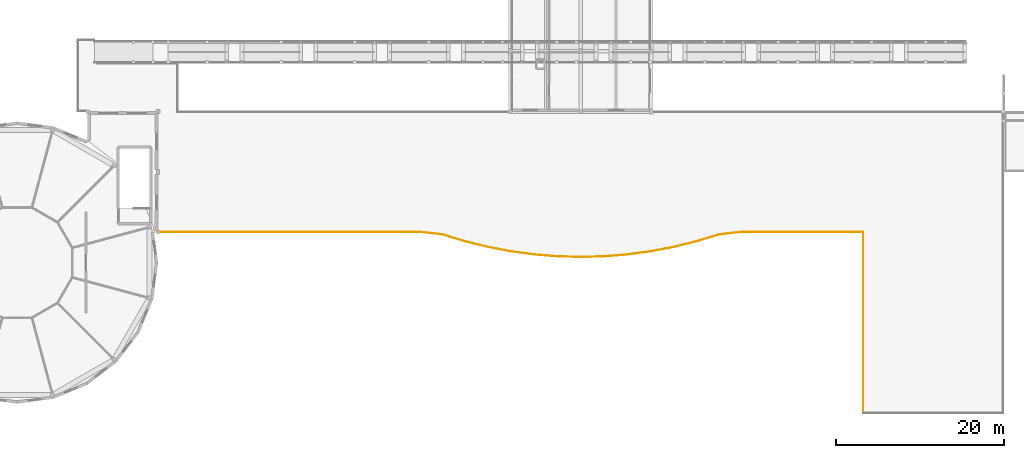
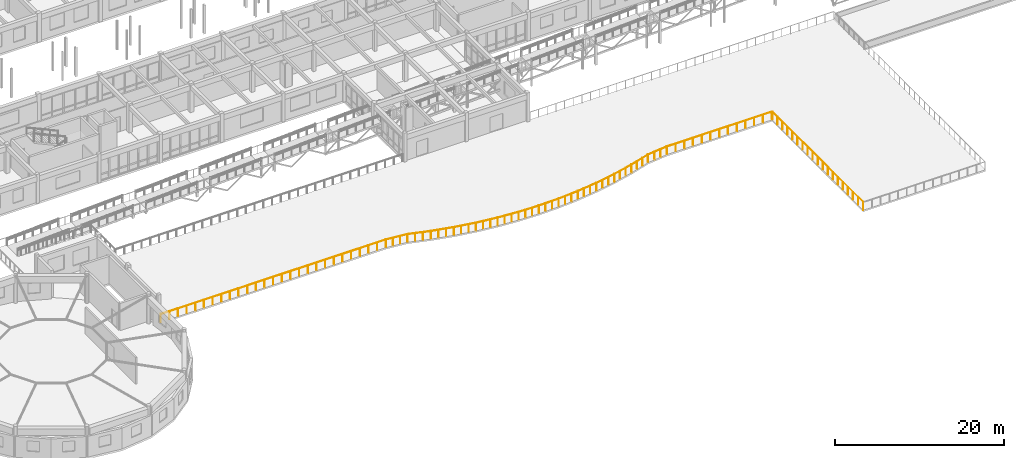
# One storey, part 83 of 90: 1 railing.
"""IFC4 building model written with IfcOpenShell, lengths in metres."""

from ifc_helpers import new_model, si_unit, direction, frame, origin, origin_2d, place, context, subcontext, project, spatial, circle, extrude, material, layer, layer_set, type_object, element, save


model = new_model("IFC4")

# Units and contexts
model_context = context("Model", 3, precision=1e-05, world=origin(), true_north=direction((0.0, 1.0)))
body_context = subcontext(model_context, "Body", "Model", "MODEL_VIEW")
ifc_project = project(units=[si_unit("LENGTHUNIT", "METRE"), si_unit("AREAUNIT", "SQUARE_METRE"), si_unit("VOLUMEUNIT", "CUBIC_METRE"), si_unit("PLANEANGLEUNIT", "RADIAN"), si_unit("MASSUNIT", "GRAM", prefix="KILO")], contexts=[model_context])

# Site, building, storey
site_placement = place(None, origin())
site = spatial("IfcSite", under=ifc_project, at=site_placement, CompositionType="ELEMENT")
building_placement = place(site_placement, origin())
building = spatial("IfcBuilding", under=site, at=building_placement, Name="Malvenik Polytechnic", CompositionType="ELEMENT")
storey_placement = place(building_placement, frame((0.0, 0.0, 9.300048828125)))
storey = spatial("IfcBuildingStorey", under=building, at=storey_placement, Name="L02", CompositionType="ELEMENT", Elevation=9.300048828125)

# Railing
ifc_material = material(Name="Galvanised powder-coated steel and laminated glass guard 1150mm", Category="steel")
ifc_layer = layer(ifc_material, 0.070068359375)
ifc_layer_set = layer_set([ifc_layer], Name="Galvanised powder-coated steel and laminated glass guard 1150mm")
railing_type = type_object("IfcRailingType", Name="ARC-RL-BAL-1150", PredefinedType="BALUSTRADE", material=ifc_layer_set)
railing_placement = place(storey_placement, frame((117.659912109375, 0.06005859375, 0.0)))
element("IfcRailing", 1, at=railing_placement, inside=storey, type_object=railing_type, Name="Terrace Perimeter Balustrade L02 #10", PredefinedType="BALUSTRADE", context=body_context, shape_type="SweptSolid", body=[
    extrude(circle(Radius=0.02392578125, at=origin_2d()), frame((0.0, 0.0, 1.1259765625), z_axis=(0.0, 1.0, 0.0), x_axis=(-1.0, 0.0, 0.0)), (0.0, 0.0, 1.0), 21.5400390625),
    extrude(circle(Radius=0.02392578125, at=origin_2d()), frame((0.0, 21.5400390625, 1.1259765625), z_axis=(-0.041630544712, 0.999133073092, 0.0), x_axis=(-0.999133073092, -0.041630544712, 0.0)), (0.0, 0.0, 1.0), 0.005859375),
    extrude(circle(Radius=0.02392578125, at=origin_2d()), frame((-0.000244140625, 21.5458984375, 1.1259765625), z_axis=(-0.164398987305, 0.986393923832, 0.0), x_axis=(-0.986393923832, -0.164398987305, 0.0)), (0.0, 0.0, 1.0), 0.005859375),
    extrude(circle(Radius=0.02392578125, at=origin_2d()), frame((-0.001220703125, 21.5517578125, 1.1259765625), z_axis=(-0.212429644331, 0.977176363923, 0.0), x_axis=(-0.977176363923, -0.212429644331, 0.0)), (0.0, 0.0, 1.0), 0.005859375),
    extrude(circle(Radius=0.02392578125, at=origin_2d()), frame((-0.00244140625, 21.557373046875, 1.1259765625), z_axis=(-0.328520624941, 0.944496796706, 0.0), x_axis=(-0.944496796706, -0.328520624941, 0.0)), (0.0, 0.0, 1.0), 0.005859375),
    extrude(circle(Radius=0.02392578125, at=origin_2d()), frame((-0.00439453125, 21.56298828125, 1.1259765625), z_axis=(-0.4472135955, 0.894427191, 0.0), x_axis=(-0.894427191, -0.4472135955, 0.0)), (0.0, 0.0, 1.0), 0.006103515625),
    extrude(circle(Radius=0.02392578125, at=origin_2d()), frame((-0.007080078125, 21.568359375, 1.1259765625), z_axis=(-0.514495755428, 0.857492925713, 0.0), x_axis=(-0.857492925713, -0.514495755428, 0.0)), (0.0, 0.0, 1.0), 0.005615234375),
    extrude(circle(Radius=0.02392578125, at=origin_2d()), frame((-0.010009765625, 21.5732421875, 1.1259765625), z_axis=(-0.573462344363, 0.819231920519, 0.0), x_axis=(-0.819231920519, -0.573462344363, 0.0)), (0.0, 0.0, 1.0), 0.005859375),
    extrude(circle(Radius=0.02392578125, at=origin_2d()), frame((-0.013427734375, 21.578125, 1.1259765625), z_axis=(-0.707106781187, 0.707106781187, 0.0), x_axis=(-0.707106781187, -0.707106781187, 0.0)), (0.0, 0.0, 1.0), 0.005859375),
    extrude(circle(Radius=0.02392578125, at=origin_2d()), frame((-0.017578125, 21.582275390625, 1.1259765625), z_axis=(-0.707106781187, 0.707106781187, 0.0), x_axis=(-0.707106781187, -0.707106781187, 0.0)), (0.0, 0.0, 1.0), 0.005859375),
    extrude(circle(Radius=0.02392578125, at=origin_2d()), frame((-0.021728515625, 21.58642578125, 1.1259765625), z_axis=(-0.819231920519, 0.573462344363, 0.0), x_axis=(-0.573462344363, -0.819231920519, 0.0)), (0.0, 0.0, 1.0), 0.005859375),
    extrude(circle(Radius=0.02392578125, at=origin_2d()), frame((-0.026611328125, 21.58984375, 1.1259765625), z_axis=(-0.857492925713, 0.514495755428, 0.0), x_axis=(-0.514495755428, -0.857492925713, 0.0)), (0.0, 0.0, 1.0), 0.005615234375),
    extrude(circle(Radius=0.02392578125, at=origin_2d()), frame((-0.031494140625, 21.5927734375, 1.1259765625), z_axis=(-0.894427191, 0.4472135955, 0.0), x_axis=(-0.4472135955, -0.894427191, 0.0)), (0.0, 0.0, 1.0), 0.006103515625),
    extrude(circle(Radius=0.02392578125, at=origin_2d()), frame((-0.036865234375, 21.595458984375, 1.1259765625), z_axis=(-0.944496796706, 0.328520624941, 0.0), x_axis=(-0.328520624941, -0.944496796706, 0.0)), (0.0, 0.0, 1.0), 0.005859375),
    extrude(circle(Radius=0.02392578125, at=origin_2d()), frame((-0.04248046875, 21.597412109375, 1.1259765625), z_axis=(-0.977176363923, 0.212429644331, 0.0), x_axis=(-0.212429644331, -0.977176363923, 0.0)), (0.0, 0.0, 1.0), 0.005859375),
    extrude(circle(Radius=0.02392578125, at=origin_2d()), frame((-0.048095703125, 21.5986328125, 1.1259765625), z_axis=(-0.986393923832, 0.164398987305, 0.0), x_axis=(-0.164398987305, -0.986393923832, 0.0)), (0.0, 0.0, 1.0), 0.005859375),
    extrude(circle(Radius=0.02392578125, at=origin_2d()), frame((-0.053955078125, 21.599609375, 1.1259765625), z_axis=(-0.999133073092, 0.041630544712, 0.0), x_axis=(-0.041630544712, -0.999133073092, 0.0)), (0.0, 0.0, 1.0), 0.005859375),
    extrude(circle(Radius=0.02392578125, at=origin_2d()), frame((-0.059814453125, 21.599853515625, 1.1259765625), z_axis=(-1.0, 0.0, 0.0), x_axis=(0.0, -1.0, 0.0)), (0.0, 0.0, 1.0), 14.35009765625),
    extrude(circle(Radius=0.02392578125, at=origin_2d()), frame((-14.409912109375, 21.599853515625, 1.1259765625), z_axis=(-0.999362854348, -0.035691530512, 0.0), x_axis=(0.035691530512, -0.999362854348, 0.0)), (0.0, 0.0, 1.0), 0.0068359375),
    extrude(circle(Radius=0.02392578125, at=origin_2d()), frame((-14.416748046875, 21.599609375, 1.1259765625), z_axis=(-0.993585447617, -0.1130838551, 0.0), x_axis=(0.1130838551, -0.993585447617, 0.0)), (0.0, 0.0, 1.0), 2.767822265625),
    extrude(circle(Radius=0.02392578125, at=origin_2d()), frame((-17.166748046875, 21.28662109375, 1.1259765625), z_axis=(-0.990830168044, -0.135113204733, 0.0), x_axis=(0.135113204733, -0.990830168044, 0.0)), (0.0, 0.0, 1.0), 0.00537109375),
    extrude(circle(Radius=0.02392578125, at=origin_2d()), frame((-17.172119140625, 21.285888671875, 1.1259765625), z_axis=(-0.964763821238, -0.263117405792, 0.0), x_axis=(0.263117405792, -0.964763821238, 0.0)), (0.0, 0.0, 1.0), 0.005615234375),
    extrude(circle(Radius=0.02392578125, at=origin_2d()), frame((-17.177490234375, 21.284423828125, 1.1259765625), z_axis=(-0.956745902497, -0.290924866683, 0.0), x_axis=(0.290924866683, -0.956745902497, 0.0)), (0.0, 0.0, 1.0), 2.87255859375),
    extrude(circle(Radius=0.02392578125, at=origin_2d()), frame((-19.92578125, 20.44873046875, 1.1259765625), z_axis=(-0.97124437316, -0.23808479079, 0.0), x_axis=(0.23808479079, -0.97124437316, 0.0)), (0.0, 0.0, 1.0), 2.828125),
    extrude(circle(Radius=0.02392578125, at=origin_2d()), frame((-22.672607421875, 19.775390625, 1.1259765625), z_axis=(-0.982706662883, -0.185169151659, 0.0), x_axis=(0.185169151659, -0.982706662883, 0.0)), (0.0, 0.0, 1.0), 2.795166015625),
    extrude(circle(Radius=0.02392578125, at=origin_2d()), frame((-25.41943359375, 19.2578125, 1.1259765625), z_axis=(-0.991217895175, -0.132238739726, 0.0), x_axis=(0.132238739726, -0.991217895175, 0.0)), (0.0, 0.0, 1.0), 2.771240234375),
    extrude(circle(Radius=0.02392578125, at=origin_2d()), frame((-28.166259765625, 18.891357421875, 1.1259765625), z_axis=(-0.99684394911, -0.079386025989, 0.0), x_axis=(0.079386025989, -0.99684394911, 0.0)), (0.0, 0.0, 1.0), 2.755615234375),
    extrude(circle(Radius=0.02392578125, at=origin_2d()), frame((-30.9130859375, 18.672607421875, 1.1259765625), z_axis=(-0.999649416194, -0.02647724878, 0.0), x_axis=(0.02647724878, -0.999649416194, 0.0)), (0.0, 0.0, 1.0), 2.747802734375),
    extrude(circle(Radius=0.02392578125, at=origin_2d()), frame((-33.659912109375, 18.599853515625, 1.1259765625), z_axis=(-0.999649416194, 0.02647724878, 0.0), x_axis=(-0.02647724878, -0.999649416194, 0.0)), (0.0, 0.0, 1.0), 2.747802734375),
    extrude(circle(Radius=0.02392578125, at=origin_2d()), frame((-36.40673828125, 18.672607421875, 1.1259765625), z_axis=(-0.99684394911, 0.079386025989, 0.0), x_axis=(-0.079386025989, -0.99684394911, 0.0)), (0.0, 0.0, 1.0), 2.755615234375),
    extrude(circle(Radius=0.02392578125, at=origin_2d()), frame((-39.153564453125, 18.891357421875, 1.1259765625), z_axis=(-0.991217895175, 0.132238739726, 0.0), x_axis=(-0.132238739726, -0.991217895175, 0.0)), (0.0, 0.0, 1.0), 2.771240234375),
    extrude(circle(Radius=0.02392578125, at=origin_2d()), frame((-41.900390625, 19.2578125, 1.1259765625), z_axis=(-0.982706662883, 0.185169151659, 0.0), x_axis=(-0.185169151659, -0.982706662883, 0.0)), (0.0, 0.0, 1.0), 2.795166015625),
    extrude(circle(Radius=0.02392578125, at=origin_2d()), frame((-44.647216796875, 19.775390625, 1.1259765625), z_axis=(-0.97124437316, 0.23808479079, 0.0), x_axis=(-0.23808479079, -0.97124437316, 0.0)), (0.0, 0.0, 1.0), 2.828125),
    extrude(circle(Radius=0.02392578125, at=origin_2d()), frame((-47.39404296875, 20.44873046875, 1.1259765625), z_axis=(-0.956745902497, 0.290924866683, 0.0), x_axis=(-0.290924866683, -0.956745902497, 0.0)), (0.0, 0.0, 1.0), 2.87255859375),
    extrude(circle(Radius=0.02392578125, at=origin_2d()), frame((-50.142333984375, 21.284423828125, 1.1259765625), z_axis=(-0.964763821238, 0.263117405792, 0.0), x_axis=(-0.263117405792, -0.964763821238, 0.0)), (0.0, 0.0, 1.0), 0.005615234375),
    extrude(circle(Radius=0.02392578125, at=origin_2d()), frame((-50.147705078125, 21.285888671875, 1.1259765625), z_axis=(-0.990830168044, 0.135113204733, 0.0), x_axis=(-0.135113204733, -0.990830168044, 0.0)), (0.0, 0.0, 1.0), 0.00537109375),
    extrude(circle(Radius=0.02392578125, at=origin_2d()), frame((-50.153076171875, 21.28662109375, 1.1259765625), z_axis=(-0.993585447617, 0.1130838551, 0.0), x_axis=(-0.1130838551, -0.993585447617, 0.0)), (0.0, 0.0, 1.0), 2.767822265625),
    extrude(circle(Radius=0.02392578125, at=origin_2d()), frame((-52.903076171875, 21.599609375, 1.1259765625), z_axis=(-0.999362854348, 0.035691530512, 0.0), x_axis=(-0.035691530512, -0.999362854348, 0.0)), (0.0, 0.0, 1.0), 0.0068359375),
    extrude(circle(Radius=0.02392578125, at=origin_2d()), frame((-52.909912109375, 21.599853515625, 1.1259765625), z_axis=(-1.0, 0.0, 0.0), x_axis=(0.0, -1.0, 0.0)), (0.0, 0.0, 1.0), 30.830078125),
    extrude(circle(Radius=0.02099609375, at=origin_2d()), origin(), (0.0, 0.0, 1.0), 1.101806640625),
    extrude(circle(Radius=0.02099609375, at=origin_2d()), frame((0.0, 1.19677734375, 0.0)), (0.0, 0.0, 1.0), 1.101806640625),
    extrude(circle(Radius=0.02099609375, at=origin_2d()), frame((0.0, 2.393310546875, 0.0)), (0.0, 0.0, 1.0), 1.101806640625),
    extrude(circle(Radius=0.02099609375, at=origin_2d()), frame((0.0, 3.590087890625, 0.0)), (0.0, 0.0, 1.0), 1.101806640625),
    extrude(circle(Radius=0.02099609375, at=origin_2d()), frame((0.0, 4.78662109375, 0.0)), (0.0, 0.0, 1.0), 1.101806640625),
    extrude(circle(Radius=0.02099609375, at=origin_2d()), frame((0.0, 5.9833984375, 0.0)), (0.0, 0.0, 1.0), 1.101806640625),
    extrude(circle(Radius=0.02099609375, at=origin_2d()), frame((0.0, 7.179931640625, 0.0)), (0.0, 0.0, 1.0), 1.101806640625),
    extrude(circle(Radius=0.02099609375, at=origin_2d()), frame((0.0, 8.376708984375, 0.0)), (0.0, 0.0, 1.0), 1.101806640625),
    extrude(circle(Radius=0.02099609375, at=origin_2d()), frame((0.0, 9.5732421875, 0.0)), (0.0, 0.0, 1.0), 1.101806640625),
    extrude(circle(Radius=0.02099609375, at=origin_2d()), frame((0.0, 10.77001953125, 0.0)), (0.0, 0.0, 1.0), 1.101806640625),
    extrude(circle(Radius=0.02099609375, at=origin_2d()), frame((0.0, 11.966796875, 0.0)), (0.0, 0.0, 1.0), 1.101806640625),
    extrude(circle(Radius=0.02099609375, at=origin_2d()), frame((0.0, 13.163330078125, 0.0)), (0.0, 0.0, 1.0), 1.101806640625),
    extrude(circle(Radius=0.02099609375, at=origin_2d()), frame((0.0, 14.360107421875, 0.0)), (0.0, 0.0, 1.0), 1.101806640625),
    extrude(circle(Radius=0.02099609375, at=origin_2d()), frame((0.0, 15.556640625, 0.0)), (0.0, 0.0, 1.0), 1.101806640625),
    extrude(circle(Radius=0.02099609375, at=origin_2d()), frame((0.0, 16.75341796875, 0.0)), (0.0, 0.0, 1.0), 1.101806640625),
    extrude(circle(Radius=0.02099609375, at=origin_2d()), frame((0.0, 17.949951171875, 0.0)), (0.0, 0.0, 1.0), 1.101806640625),
    extrude(circle(Radius=0.02099609375, at=origin_2d()), frame((0.0, 19.146728515625, 0.0)), (0.0, 0.0, 1.0), 1.101806640625),
    extrude(circle(Radius=0.02099609375, at=origin_2d()), frame((0.0, 20.34326171875, 0.0)), (0.0, 0.0, 1.0), 1.101806640625),
    extrude(circle(Radius=0.02099609375, at=origin_2d()), frame((0.0, 21.5400390625, 0.0)), (0.0, 0.0, 1.0), 1.101806640625),
    extrude(circle(Radius=0.02099609375, at=origin_2d()), frame((-0.000244140625, 21.5458984375, 0.0)), (0.0, 0.0, 1.0), 1.101806640625),
    extrude(circle(Radius=0.02099609375, at=origin_2d()), frame((-0.001220703125, 21.5517578125, 0.0)), (0.0, 0.0, 1.0), 1.101806640625),
    extrude(circle(Radius=0.02099609375, at=origin_2d()), frame((-0.00244140625, 21.557373046875, 0.0)), (0.0, 0.0, 1.0), 1.101806640625),
    extrude(circle(Radius=0.02099609375, at=origin_2d()), frame((-0.00439453125, 21.56298828125, 0.0)), (0.0, 0.0, 1.0), 1.101806640625),
    extrude(circle(Radius=0.02099609375, at=origin_2d()), frame((-0.007080078125, 21.568359375, 0.0)), (0.0, 0.0, 1.0), 1.101806640625),
    extrude(circle(Radius=0.02099609375, at=origin_2d()), frame((-0.010009765625, 21.5732421875, 0.0)), (0.0, 0.0, 1.0), 1.101806640625),
    extrude(circle(Radius=0.02099609375, at=origin_2d()), frame((-0.013427734375, 21.578125, 0.0)), (0.0, 0.0, 1.0), 1.101806640625),
    extrude(circle(Radius=0.02099609375, at=origin_2d()), frame((-0.017578125, 21.582275390625, 0.0)), (0.0, 0.0, 1.0), 1.101806640625),
    extrude(circle(Radius=0.02099609375, at=origin_2d()), frame((-0.021728515625, 21.58642578125, 0.0)), (0.0, 0.0, 1.0), 1.101806640625),
    extrude(circle(Radius=0.02099609375, at=origin_2d()), frame((-0.026611328125, 21.58984375, 0.0)), (0.0, 0.0, 1.0), 1.101806640625),
    extrude(circle(Radius=0.02099609375, at=origin_2d()), frame((-0.031494140625, 21.5927734375, 0.0)), (0.0, 0.0, 1.0), 1.101806640625),
    extrude(circle(Radius=0.02099609375, at=origin_2d()), frame((-0.036865234375, 21.595458984375, 0.0)), (0.0, 0.0, 1.0), 1.101806640625),
    extrude(circle(Radius=0.02099609375, at=origin_2d()), frame((-0.04248046875, 21.597412109375, 0.0)), (0.0, 0.0, 1.0), 1.101806640625),
    extrude(circle(Radius=0.02099609375, at=origin_2d()), frame((-0.048095703125, 21.5986328125, 0.0)), (0.0, 0.0, 1.0), 1.101806640625),
    extrude(circle(Radius=0.02099609375, at=origin_2d()), frame((-0.053955078125, 21.599609375, 0.0)), (0.0, 0.0, 1.0), 1.101806640625),
    extrude(circle(Radius=0.02099609375, at=origin_2d()), frame((-0.059814453125, 21.599853515625, 0.0)), (0.0, 0.0, 1.0), 1.101806640625),
    extrude(circle(Radius=0.02099609375, at=origin_2d()), frame((-1.255615234375, 21.599853515625, 0.0)), (0.0, 0.0, 1.0), 1.101806640625),
    extrude(circle(Radius=0.02099609375, at=origin_2d()), frame((-2.451416015625, 21.599853515625, 0.0)), (0.0, 0.0, 1.0), 1.101806640625),
    extrude(circle(Radius=0.02099609375, at=origin_2d()), frame((-3.6474609375, 21.599853515625, 0.0)), (0.0, 0.0, 1.0), 1.101806640625),
    extrude(circle(Radius=0.02099609375, at=origin_2d()), frame((-4.84326171875, 21.599853515625, 0.0)), (0.0, 0.0, 1.0), 1.101806640625),
    extrude(circle(Radius=0.02099609375, at=origin_2d()), frame((-6.0390625, 21.599853515625, 0.0)), (0.0, 0.0, 1.0), 1.101806640625),
    extrude(circle(Radius=0.02099609375, at=origin_2d()), frame((-7.23486328125, 21.599853515625, 0.0)), (0.0, 0.0, 1.0), 1.101806640625),
    extrude(circle(Radius=0.02099609375, at=origin_2d()), frame((-8.4306640625, 21.599853515625, 0.0)), (0.0, 0.0, 1.0), 1.101806640625),
    extrude(circle(Radius=0.02099609375, at=origin_2d()), frame((-9.62646484375, 21.599853515625, 0.0)), (0.0, 0.0, 1.0), 1.101806640625),
    extrude(circle(Radius=0.02099609375, at=origin_2d()), frame((-10.822265625, 21.599853515625, 0.0)), (0.0, 0.0, 1.0), 1.101806640625),
    extrude(circle(Radius=0.02099609375, at=origin_2d()), frame((-12.018310546875, 21.599853515625, 0.0)), (0.0, 0.0, 1.0), 1.101806640625),
    extrude(circle(Radius=0.02099609375, at=origin_2d()), frame((-13.214111328125, 21.599853515625, 0.0)), (0.0, 0.0, 1.0), 1.101806640625),
    extrude(circle(Radius=0.02099609375, at=origin_2d()), frame((-14.409912109375, 21.599853515625, 0.0)), (0.0, 0.0, 1.0), 1.101806640625),
    extrude(circle(Radius=0.02099609375, at=origin_2d()), frame((-14.416748046875, 21.599609375, 0.0)), (0.0, 0.0, 1.0), 1.101806640625),
    extrude(circle(Radius=0.02099609375, at=origin_2d()), frame((-15.33349609375, 21.495361328125, 0.0)), (0.0, 0.0, 1.0), 1.101806640625),
    extrude(circle(Radius=0.02099609375, at=origin_2d()), frame((-16.25, 21.390869140625, 0.0)), (0.0, 0.0, 1.0), 1.101806640625),
    extrude(circle(Radius=0.02099609375, at=origin_2d()), frame((-17.166748046875, 21.28662109375, 0.0)), (0.0, 0.0, 1.0), 1.101806640625),
    extrude(circle(Radius=0.02099609375, at=origin_2d()), frame((-17.172119140625, 21.285888671875, 0.0)), (0.0, 0.0, 1.0), 1.101806640625),
    extrude(circle(Radius=0.02099609375, at=origin_2d()), frame((-17.177490234375, 21.284423828125, 0.0)), (0.0, 0.0, 1.0), 1.101806640625),
    extrude(circle(Radius=0.02099609375, at=origin_2d()), frame((-18.093505859375, 21.005859375, 0.0)), (0.0, 0.0, 1.0), 1.101806640625),
    extrude(circle(Radius=0.02099609375, at=origin_2d()), frame((-19.009765625, 20.727294921875, 0.0)), (0.0, 0.0, 1.0), 1.101806640625),
    extrude(circle(Radius=0.02099609375, at=origin_2d()), frame((-19.92578125, 20.44873046875, 0.0)), (0.0, 0.0, 1.0), 1.101806640625),
    extrude(circle(Radius=0.02099609375, at=origin_2d()), frame((-20.84130859375, 20.224365234375, 0.0)), (0.0, 0.0, 1.0), 1.101806640625),
    extrude(circle(Radius=0.02099609375, at=origin_2d()), frame((-21.757080078125, 19.999755859375, 0.0)), (0.0, 0.0, 1.0), 1.101806640625),
    extrude(circle(Radius=0.02099609375, at=origin_2d()), frame((-22.672607421875, 19.775390625, 0.0)), (0.0, 0.0, 1.0), 1.101806640625),
    extrude(circle(Radius=0.02099609375, at=origin_2d()), frame((-23.588134765625, 19.602783203125, 0.0)), (0.0, 0.0, 1.0), 1.101806640625),
    extrude(circle(Radius=0.02099609375, at=origin_2d()), frame((-24.50390625, 19.430419921875, 0.0)), (0.0, 0.0, 1.0), 1.101806640625),
    extrude(circle(Radius=0.02099609375, at=origin_2d()), frame((-25.41943359375, 19.2578125, 0.0)), (0.0, 0.0, 1.0), 1.101806640625),
    extrude(circle(Radius=0.02099609375, at=origin_2d()), frame((-26.3349609375, 19.1357421875, 0.0)), (0.0, 0.0, 1.0), 1.101806640625),
    extrude(circle(Radius=0.02099609375, at=origin_2d()), frame((-27.250732421875, 19.013427734375, 0.0)), (0.0, 0.0, 1.0), 1.101806640625),
    extrude(circle(Radius=0.02099609375, at=origin_2d()), frame((-28.166259765625, 18.891357421875, 0.0)), (0.0, 0.0, 1.0), 1.101806640625),
    extrude(circle(Radius=0.02099609375, at=origin_2d()), frame((-29.081787109375, 18.818359375, 0.0)), (0.0, 0.0, 1.0), 1.101806640625),
    extrude(circle(Radius=0.02099609375, at=origin_2d()), frame((-29.99755859375, 18.74560546875, 0.0)), (0.0, 0.0, 1.0), 1.101806640625),
    extrude(circle(Radius=0.02099609375, at=origin_2d()), frame((-30.9130859375, 18.672607421875, 0.0)), (0.0, 0.0, 1.0), 1.101806640625),
    extrude(circle(Radius=0.02099609375, at=origin_2d()), frame((-31.82861328125, 18.6484375, 0.0)), (0.0, 0.0, 1.0), 1.101806640625),
    extrude(circle(Radius=0.02099609375, at=origin_2d()), frame((-32.744384765625, 18.6240234375, 0.0)), (0.0, 0.0, 1.0), 1.101806640625),
    extrude(circle(Radius=0.02099609375, at=origin_2d()), frame((-33.659912109375, 18.599853515625, 0.0)), (0.0, 0.0, 1.0), 1.101806640625),
    extrude(circle(Radius=0.02099609375, at=origin_2d()), frame((-34.575439453125, 18.6240234375, 0.0)), (0.0, 0.0, 1.0), 1.101806640625),
    extrude(circle(Radius=0.02099609375, at=origin_2d()), frame((-35.4912109375, 18.6484375, 0.0)), (0.0, 0.0, 1.0), 1.101806640625),
    extrude(circle(Radius=0.02099609375, at=origin_2d()), frame((-36.40673828125, 18.672607421875, 0.0)), (0.0, 0.0, 1.0), 1.101806640625),
    extrude(circle(Radius=0.02099609375, at=origin_2d()), frame((-37.322265625, 18.74560546875, 0.0)), (0.0, 0.0, 1.0), 1.101806640625),
    extrude(circle(Radius=0.02099609375, at=origin_2d()), frame((-38.238037109375, 18.818359375, 0.0)), (0.0, 0.0, 1.0), 1.101806640625),
    extrude(circle(Radius=0.02099609375, at=origin_2d()), frame((-39.153564453125, 18.891357421875, 0.0)), (0.0, 0.0, 1.0), 1.101806640625),
    extrude(circle(Radius=0.02099609375, at=origin_2d()), frame((-40.069091796875, 19.013427734375, 0.0)), (0.0, 0.0, 1.0), 1.101806640625),
    extrude(circle(Radius=0.02099609375, at=origin_2d()), frame((-40.98486328125, 19.1357421875, 0.0)), (0.0, 0.0, 1.0), 1.101806640625),
    extrude(circle(Radius=0.02099609375, at=origin_2d()), frame((-41.900390625, 19.2578125, 0.0)), (0.0, 0.0, 1.0), 1.101806640625),
    extrude(circle(Radius=0.02099609375, at=origin_2d()), frame((-42.81591796875, 19.430419921875, 0.0)), (0.0, 0.0, 1.0), 1.101806640625),
    extrude(circle(Radius=0.02099609375, at=origin_2d()), frame((-43.731689453125, 19.602783203125, 0.0)), (0.0, 0.0, 1.0), 1.101806640625),
    extrude(circle(Radius=0.02099609375, at=origin_2d()), frame((-44.647216796875, 19.775390625, 0.0)), (0.0, 0.0, 1.0), 1.101806640625),
    extrude(circle(Radius=0.02099609375, at=origin_2d()), frame((-45.562744140625, 19.999755859375, 0.0)), (0.0, 0.0, 1.0), 1.101806640625),
    extrude(circle(Radius=0.02099609375, at=origin_2d()), frame((-46.478515625, 20.224365234375, 0.0)), (0.0, 0.0, 1.0), 1.101806640625),
    extrude(circle(Radius=0.02099609375, at=origin_2d()), frame((-47.39404296875, 20.44873046875, 0.0)), (0.0, 0.0, 1.0), 1.101806640625),
    extrude(circle(Radius=0.02099609375, at=origin_2d()), frame((-48.31005859375, 20.727294921875, 0.0)), (0.0, 0.0, 1.0), 1.101806640625),
    extrude(circle(Radius=0.02099609375, at=origin_2d()), frame((-49.226318359375, 21.005859375, 0.0)), (0.0, 0.0, 1.0), 1.101806640625),
    extrude(circle(Radius=0.02099609375, at=origin_2d()), frame((-50.142333984375, 21.284423828125, 0.0)), (0.0, 0.0, 1.0), 1.101806640625),
    extrude(circle(Radius=0.02099609375, at=origin_2d()), frame((-50.147705078125, 21.285888671875, 0.0)), (0.0, 0.0, 1.0), 1.101806640625),
    extrude(circle(Radius=0.02099609375, at=origin_2d()), frame((-50.153076171875, 21.28662109375, 0.0)), (0.0, 0.0, 1.0), 1.101806640625),
    extrude(circle(Radius=0.02099609375, at=origin_2d()), frame((-51.06982421875, 21.390869140625, 0.0)), (0.0, 0.0, 1.0), 1.101806640625),
    extrude(circle(Radius=0.02099609375, at=origin_2d()), frame((-51.986328125, 21.495361328125, 0.0)), (0.0, 0.0, 1.0), 1.101806640625),
    extrude(circle(Radius=0.02099609375, at=origin_2d()), frame((-52.903076171875, 21.599609375, 0.0)), (0.0, 0.0, 1.0), 1.101806640625),
    extrude(circle(Radius=0.02099609375, at=origin_2d()), frame((-52.909912109375, 21.599853515625, 0.0)), (0.0, 0.0, 1.0), 1.101806640625),
    extrude(circle(Radius=0.02099609375, at=origin_2d()), frame((-54.095703125, 21.599853515625, 0.0)), (0.0, 0.0, 1.0), 1.101806640625),
    extrude(circle(Radius=0.02099609375, at=origin_2d()), frame((-55.281494140625, 21.599853515625, 0.0)), (0.0, 0.0, 1.0), 1.101806640625),
    extrude(circle(Radius=0.02099609375, at=origin_2d()), frame((-56.46728515625, 21.599853515625, 0.0)), (0.0, 0.0, 1.0), 1.101806640625),
    extrude(circle(Radius=0.02099609375, at=origin_2d()), frame((-57.653076171875, 21.599853515625, 0.0)), (0.0, 0.0, 1.0), 1.101806640625),
    extrude(circle(Radius=0.02099609375, at=origin_2d()), frame((-58.8388671875, 21.599853515625, 0.0)), (0.0, 0.0, 1.0), 1.101806640625),
    extrude(circle(Radius=0.02099609375, at=origin_2d()), frame((-60.024658203125, 21.599853515625, 0.0)), (0.0, 0.0, 1.0), 1.101806640625),
    extrude(circle(Radius=0.02099609375, at=origin_2d()), frame((-61.210205078125, 21.599853515625, 0.0)), (0.0, 0.0, 1.0), 1.101806640625),
    extrude(circle(Radius=0.02099609375, at=origin_2d()), frame((-62.39599609375, 21.599853515625, 0.0)), (0.0, 0.0, 1.0), 1.101806640625),
    extrude(circle(Radius=0.02099609375, at=origin_2d()), frame((-63.581787109375, 21.599853515625, 0.0)), (0.0, 0.0, 1.0), 1.101806640625),
    extrude(circle(Radius=0.02099609375, at=origin_2d()), frame((-64.767578125, 21.599853515625, 0.0)), (0.0, 0.0, 1.0), 1.101806640625),
    extrude(circle(Radius=0.02099609375, at=origin_2d()), frame((-65.953369140625, 21.599853515625, 0.0)), (0.0, 0.0, 1.0), 1.101806640625),
    extrude(circle(Radius=0.02099609375, at=origin_2d()), frame((-67.13916015625, 21.599853515625, 0.0)), (0.0, 0.0, 1.0), 1.101806640625),
    extrude(circle(Radius=0.02099609375, at=origin_2d()), frame((-68.324951171875, 21.599853515625, 0.0)), (0.0, 0.0, 1.0), 1.101806640625),
    extrude(circle(Radius=0.02099609375, at=origin_2d()), frame((-69.5107421875, 21.599853515625, 0.0)), (0.0, 0.0, 1.0), 1.101806640625),
    extrude(circle(Radius=0.02099609375, at=origin_2d()), frame((-70.696533203125, 21.599853515625, 0.0)), (0.0, 0.0, 1.0), 1.101806640625),
    extrude(circle(Radius=0.02099609375, at=origin_2d()), frame((-71.88232421875, 21.599853515625, 0.0)), (0.0, 0.0, 1.0), 1.101806640625),
    extrude(circle(Radius=0.02099609375, at=origin_2d()), frame((-73.068115234375, 21.599853515625, 0.0)), (0.0, 0.0, 1.0), 1.101806640625),
    extrude(circle(Radius=0.02099609375, at=origin_2d()), frame((-74.25390625, 21.599853515625, 0.0)), (0.0, 0.0, 1.0), 1.101806640625),
    extrude(circle(Radius=0.02099609375, at=origin_2d()), frame((-75.439697265625, 21.599853515625, 0.0)), (0.0, 0.0, 1.0), 1.101806640625),
    extrude(circle(Radius=0.02099609375, at=origin_2d()), frame((-76.625244140625, 21.599853515625, 0.0)), (0.0, 0.0, 1.0), 1.101806640625),
    extrude(circle(Radius=0.02099609375, at=origin_2d()), frame((-77.81103515625, 21.599853515625, 0.0)), (0.0, 0.0, 1.0), 1.101806640625),
    extrude(circle(Radius=0.02099609375, at=origin_2d()), frame((-78.996826171875, 21.599853515625, 0.0)), (0.0, 0.0, 1.0), 1.101806640625),
    extrude(circle(Radius=0.02099609375, at=origin_2d()), frame((-80.1826171875, 21.599853515625, 0.0)), (0.0, 0.0, 1.0), 1.101806640625),
    extrude(circle(Radius=0.02099609375, at=origin_2d()), frame((-81.368408203125, 21.599853515625, 0.0)), (0.0, 0.0, 1.0), 1.101806640625),
    extrude(circle(Radius=0.02099609375, at=origin_2d()), frame((-82.55419921875, 21.599853515625, 0.0)), (0.0, 0.0, 1.0), 1.101806640625),
    extrude(circle(Radius=0.02099609375, at=origin_2d()), frame((-83.739990234375, 21.599853515625, 0.0)), (0.0, 0.0, 1.0), 1.101806640625),
])

save(model, "model.ifc")
